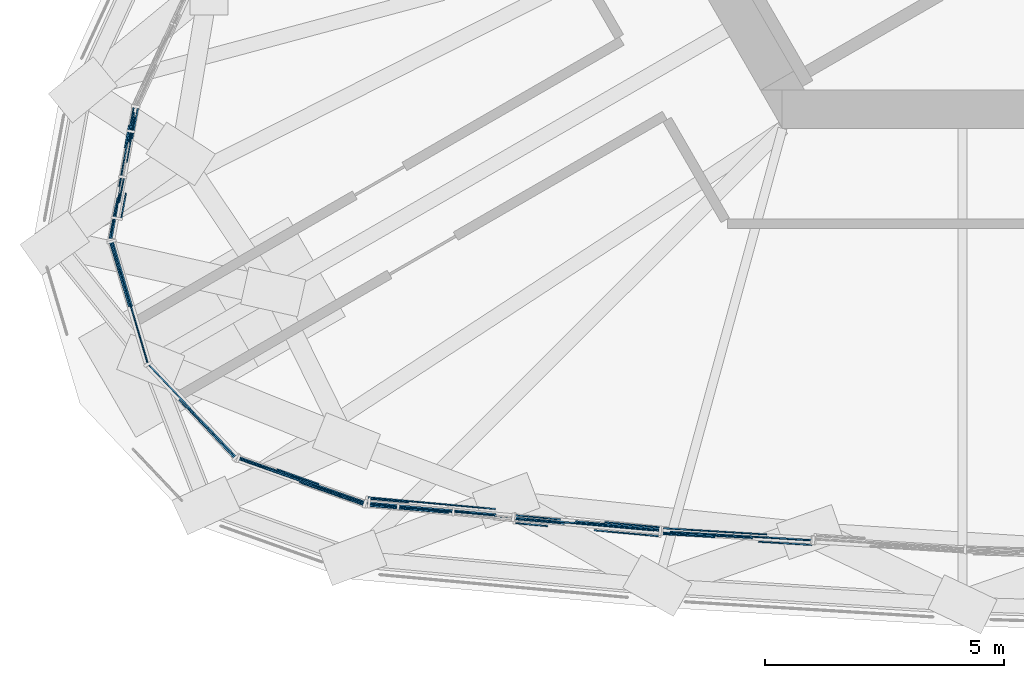
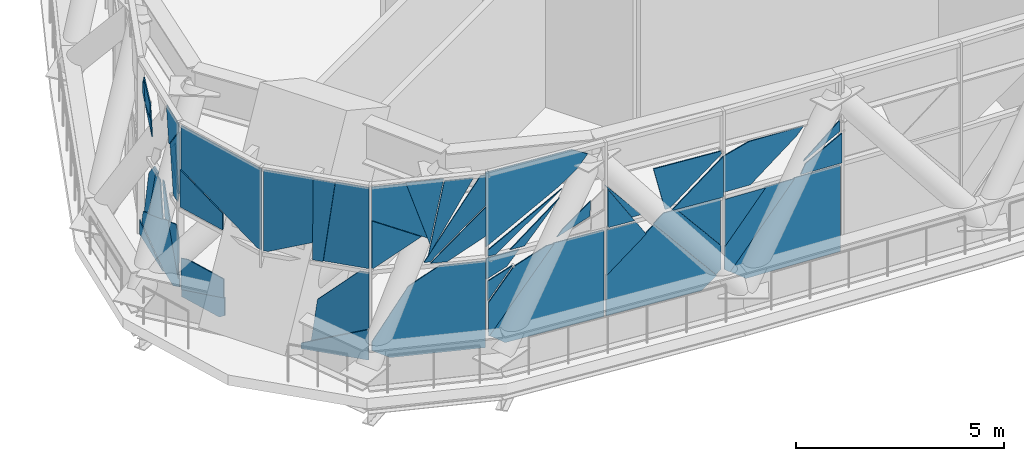
# One storey, part 10 of 35: 49 plates, 2 elements without a shape of their own.
"""IFC4 building model written with IfcOpenShell, lengths in metres."""

from ifc_helpers import new_model, si_unit, direction, frame, origin, place, context, subcontext, project, spatial, polyline, outline, extrude, material, layer, layer_set, type_object, element, aggregate, save


model = new_model("IFC4")

# Units and contexts
model_context = context("Model", 3, precision=1e-05, world=origin(), true_north=direction((0.0, 1.0)))
body_context = subcontext(model_context, "Body", "Model", "MODEL_VIEW")
ifc_project = project(units=[si_unit("LENGTHUNIT", "METRE"), si_unit("AREAUNIT", "SQUARE_METRE"), si_unit("VOLUMEUNIT", "CUBIC_METRE"), si_unit("PLANEANGLEUNIT", "RADIAN"), si_unit("MASSUNIT", "GRAM", prefix="KILO")], contexts=[model_context])

# Site, building, storey
site_placement = place(None, origin())
site = spatial("IfcSite", under=ifc_project, at=site_placement, CompositionType="ELEMENT")
building_placement = place(site_placement, origin())
building = spatial("IfcBuilding", under=site, at=building_placement, Name="Mestral Congress Tower", CompositionType="ELEMENT")
storey_placement = place(building_placement, frame((0.0, 0.0, 196.199951171875)))
storey = spatial("IfcBuildingStorey", under=building, at=storey_placement, Name="L46", CompositionType="ELEMENT", Elevation=196.199951171875)

# Curtain wall, plates
ifc_material_1 = material(Name="Clear low-emissivity double glazing", Category="glass")
curtain_wall_type = type_object("IfcCurtainWallType", Name="Facade refuge band screen", PredefinedType="USERDEFINED", material=ifc_material_1)
placement = place(storey_placement, origin())
curtain_wall_1 = element("IfcCurtainWall", 1, at=placement, inside=storey, type_object=curtain_wall_type, Name="Facade refuge band screen face 1", ObjectType="CURTAIN WALL", PredefinedType="USERDEFINED")
ifc_material_2 = material(Name="Anodised aluminium", Category="aluminium")
ifc_layer_1 = layer(ifc_material_2, 0.028076171875)
ifc_layer_set_1 = layer_set([ifc_layer_1], Name="Anodised aluminium")
plate_type_1 = type_object("IfcPlateType", Name="Facade refuge band screen brace cover panel", PredefinedType="CURTAIN_PANEL", material=ifc_layer_set_1)
plate_1_placement = place(storey_placement, frame((-22.06689453125, -18.357666015625, 0.339111328125), z_axis=(-0.091405422921, -0.995811968645, 0.001889911145), x_axis=(-0.784602575643, 0.07318699038, 0.615664245132)))
plate_1 = element("IfcPlate", 2, at=plate_1_placement, type_object=plate_type_1, Name="Facade refuge band screen brace cover panel", PredefinedType="CURTAIN_PANEL", context=body_context, shape_type="SweptSolid", body=[
    extrude(outline(polyline([(0.0, 0.0), (0.020223917446481353, 1.734723475976807e-18), (0.621710539117942, -0.7699648906408846), (0.6220493747293552, -1.8553113854317473), (0.16102226624390048, -2.667227628167387), (0.0010581197837116196, -2.7922065826315023), (0.0, 0.0)])), origin(), (0.0, 0.0, -1.0), 0.028076171875),
])
plate_2_placement = place(storey_placement, frame((-16.05908203125, -18.84130859375, 0.334716796875), z_axis=(-0.091391712053, -0.995812969802, 0.002020925812), x_axis=(-0.640069183234, 0.060297408752, 0.765947559022)))
plate_2 = element("IfcPlate", 3, at=plate_2_placement, type_object=plate_type_1, Name="Facade refuge band screen brace cover panel", PredefinedType="CURTAIN_PANEL", context=body_context, shape_type="SweptSolid", body=[
    extrude(outline(polyline([(0.0, 0.0), (2.5716212137501024, 0.0), (2.5774593481638557, -0.35950211440347934), (2.358676610212579, -0.6201582566437716), (0.5295816327207876, -0.6203329669512662), (-8.76230419641355e-05, -0.17592861950133076), (0.0, 0.0)])), origin(), (0.0, 0.0, -1.0), 0.028076171875),
])
plate_3_placement = place(storey_placement, frame((-17.310546875, -18.874267578125, 2.66015625), z_axis=(-0.091414054345, -0.995810851688, 0.002053857055), x_axis=(0.752587048919, -0.067735511696, 0.654999720805)))
plate_3 = element("IfcPlate", 4, at=plate_3_placement, type_object=plate_type_1, Name="Facade refuge band screen brace cover panel", PredefinedType="CURTAIN_PANEL", context=body_context, shape_type="SweptSolid", body=[
    extrude(outline(polyline([(0.0, 0.0), (1.8237871562108943, 1.1102230246251565e-16), (1.0413191713894916, -0.9026469054130672), (0.0, 0.0)])), origin(), (0.0, 0.0, -1.0), 0.028076171875),
])
plate_4_placement = place(storey_placement, frame((-15.927734375, -18.884033203125, 3.93798828125), z_axis=(-0.091474321656, -0.99580534519, 0.002040335234), x_axis=(8.0489317e-05, -0.002056319168, -0.999997882534)))
plate_4 = element("IfcPlate", 5, at=plate_4_placement, type_object=plate_type_1, Name="Facade refuge band screen brace cover panel", PredefinedType="CURTAIN_PANEL", context=body_context, shape_type="SweptSolid", body=[
    extrude(outline(polyline([(0.0, 0.0), (0.08325227887288608, 3.3881317890172014e-21), (1.2774653431527454, -1.3781816307289985), (1.2774332604616672, -1.4966121283155542), (-0.00048274270776650066, -1.801233070272785), (0.0, 0.0)])), origin(), (0.0, 0.0, -1.0), 0.028076171875),
])
plate_5_placement = place(storey_placement, frame((-18.984619140625, -18.722412109375, 2.66015625), z_axis=(-0.091689784699, -0.99578566175, 0.001974647926), x_axis=(0.000218102083, 0.001962918745, 0.999998049689)))
plate_5 = element("IfcPlate", 6, at=plate_5_placement, type_object=plate_type_1, Name="Facade refuge band screen brace cover panel", PredefinedType="CURTAIN_PANEL", context=body_context, shape_type="SweptSolid", body=[
    extrude(outline(polyline([(0.0, 0.0), (1.1193869487778603, -3.3881317890172014e-20), (2.625105635397127e-05, -0.7056090234868035), (0.0, 0.0)])), origin(), (0.0, 0.0, -1.0), 0.028076171875),
])
plate_6_placement = place(storey_placement, frame((-18.26708984375, -18.625732421875, 2.66015625), z_axis=(-0.091327179961, -0.995818590508, 0.002163561775), x_axis=(-0.530832742943, 0.050521013547, 0.84596940028)))
plate_6 = element("IfcPlate", 7, at=plate_6_placement, type_object=plate_type_1, Name="Facade refuge band screen brace cover panel", PredefinedType="CURTAIN_PANEL", context=body_context, shape_type="SweptSolid", body=[
    extrude(outline(polyline([(0.0, 0.0), (1.3231978172465464, 0.0), (1.3409598700844538, -0.011195685248758469), (-0.1342563970399853, -0.2129991357044137), (0.0, 0.0)])), origin(), (0.0, 0.0, -1.0), 0.028076171875),
])
plate_7_placement = place(storey_placement, frame((-13.99072265625, -19.036376953125, 2.5400390625), z_axis=(-0.061047188932, -0.998132830406, 0.002023262272), x_axis=(-0.619375456664, 0.036292139233, -0.784255649844)))
plate_7 = element("IfcPlate", 8, at=plate_7_placement, type_object=plate_type_1, Name="Facade refuge band screen brace cover panel", PredefinedType="CURTAIN_PANEL", context=body_context, shape_type="SweptSolid", body=[
    extrude(outline(polyline([(0.0, 0.0), (2.797051461000134, -2.220446049250313e-16), (2.7971291127140425, -0.18740410296666088), (2.2503791627469925, -0.6197291662097489), (0.49032908790269136, -0.6197971613504949), (0.0, 0.0)])), origin(), (0.0, 0.0, -1.0), 0.028076171875),
])
plate_8_placement = place(storey_placement, frame((-13.872802734375, -19.11328125, 2.66015625), z_axis=(-0.061067988602, -0.998131336105, 0.002129942322), x_axis=(0.432113595508, -0.024514003498, 0.901485942325)))
plate_8 = element("IfcPlate", 9, at=plate_8_placement, type_object=plate_type_1, Name="Facade refuge band screen brace cover panel", PredefinedType="CURTAIN_PANEL", context=body_context, shape_type="SweptSolid", body=[
    extrude(outline(polyline([(0.0, 0.0), (0.31415119636509264, 1.3877787807814457e-17), (1.267925134991916, -0.631103640810244), (0.48368919405643385, -1.0074770836444369), (0.0, 0.0)])), origin(), (0.0, 0.0, -1.0), 0.028076171875),
])
plate_9_placement = place(storey_placement, frame((-13.73095703125, -19.021240234375, 2.943359375), z_axis=(-0.061234249092, -0.998120996586, 0.002200661861), x_axis=(0.428867239058, -0.024319774355, 0.903040109761)))
plate_9 = element("IfcPlate", 10, at=plate_9_placement, type_object=plate_type_1, Name="Facade refuge band screen brace cover panel", PredefinedType="CURTAIN_PANEL", context=body_context, shape_type="SweptSolid", body=[
    extrude(outline(polyline([(0.0, 0.0), (0.05920749402976901, 3.469446951953614e-18), (1.2473501989583082, -0.49377330717624734), (0.9513942089154256, -0.634331006551136), (0.0, 0.0)])), origin(), (0.0, 0.0, -1.0), 0.028076171875),
])
plate_10_placement = place(storey_placement, frame((-15.864013671875, -18.831298828125, 2.66015625), z_axis=(-0.06100553502, -0.998135518015, 0.001952530161), x_axis=(6.038458e-06, 0.00195580461, 0.999998087394)))
plate_10 = element("IfcPlate", 11, at=plate_10_placement, type_object=plate_type_1, Name="Facade refuge band screen brace cover panel", PredefinedType="CURTAIN_PANEL", context=body_context, shape_type="SweptSolid", body=[
    extrude(outline(polyline([(0.0, 0.0), (1.051759620832685, -1.3552527156068805e-20), (1.277754108211443, -0.707127968333262), (1.2775881902975312, -2.1744508239131553), (1.0473843761517225, -1.986603748920556), (-8.434351846266629e-05, -0.7416259011034291), (0.0, 0.0)])), origin(), (0.0, 0.0, -1.0), 0.028076171875),
])

curtain_wall_2 = element("IfcCurtainWall", 12, at=placement, inside=storey, type_object=curtain_wall_type, Name="Facade refuge band screen corner 3", ObjectType="CURTAIN WALL", PredefinedType="USERDEFINED")
plate_11_placement = place(storey_placement, frame((-27.462158203125, -12.74951171875, 0.51220703125), z_axis=(-0.983541222688, 0.180671868471, 0.002083078427), x_axis=(0.093068839311, 0.496698870472, 0.862918549587)))
plate_11 = element("IfcPlate", 13, at=plate_11_placement, type_object=plate_type_1, Name="Facade refuge band screen brace cover panel", PredefinedType="CURTAIN_PANEL", context=body_context, shape_type="SweptSolid", body=[
    extrude(outline(polyline([(0.0, 0.0), (1.4013239296903355, 0.0), (1.3632036838480073, -0.6158543975062255), (1.0516666724094272, -0.6159179889359591), (0.0, 0.0)])), origin(), (0.0, 0.0, -1.0), 0.028076171875),
])
plate_12_placement = place(storey_placement, frame((-27.427490234375, -12.755859375, 3.138671875), z_axis=(-0.983514120435, 0.180820203778, 0.002007189537), x_axis=(0.0524524814, 0.295886058745, -0.953782038746)))
plate_12 = element("IfcPlate", 14, at=plate_12_placement, type_object=plate_type_1, Name="Facade refuge band screen brace cover panel", PredefinedType="CURTAIN_PANEL", context=body_context, shape_type="SweptSolid", body=[
    extrude(outline(polyline([(0.0, 0.0), (0.5017032196414064, -5.551115123125783e-17), (0.5884562268046104, -0.27535969739291555), (-0.6174992062670931, -0.913718823352413), (-1.6076817673196524, -0.506398864054568), (0.0, 0.0)])), origin(), (0.0, 0.0, -1.0), 0.028076171875),
])
plate_13_placement = place(storey_placement, frame((-27.17578125, -12.1044921875, 4.002197265625), z_axis=(-0.983610252309, 0.18029466526, 0.002169154489), x_axis=(-0.034696659415, -0.177457221132, -0.983516688467)))
plate_13 = element("IfcPlate", 15, at=plate_13_placement, type_object=plate_type_1, Name="Facade refuge band screen brace cover panel", PredefinedType="CURTAIN_PANEL", context=body_context, shape_type="SweptSolid", body=[
    extrude(outline(polyline([(0.0, 0.0), (1.3645325329917986, 0.0), (1.3493721235760283, -0.08247042688757497), (0.30835978365386685, -0.371029966611669), (0.0, 0.0)])), origin(), (0.0, 0.0, -1.0), 0.028076171875),
])
plate_14_placement = place(storey_placement, frame((-27.453125, -12.751220703125, 5.030029296875), z_axis=(-0.98354673758, 0.180642073592, 0.002063066848), x_axis=(-0.002106544609, -4.8841393e-05, -0.99999778004)))
plate_14 = element("IfcPlate", 16, at=plate_14_placement, type_object=plate_type_1, Name="Facade refuge band screen brace cover panel", PredefinedType="CURTAIN_PANEL", context=body_context, shape_type="SweptSolid", body=[
    extrude(outline(polyline([(0.0, 0.0), (0.20581111856999154, 1.3552527156068805e-20), (1.0275401469129066, -0.6863908998904023), (-0.000374768415865152, -0.8747317922043722), (0.0, 0.0)])), origin(), (0.0, 0.0, -1.0), 0.028076171875),
])
plate_15_placement = place(storey_placement, frame((-27.0556640625, -10.38623046875, 4.8525390625), z_axis=(-0.983541714463, 0.180668585504, 0.00213497632), x_axis=(-0.123379703516, -0.66294061132, -0.738435640136)))
plate_15 = element("IfcPlate", 17, at=plate_15_placement, type_object=plate_type_1, Name="Facade refuge band screen brace cover panel", PredefinedType="CURTAIN_PANEL", context=body_context, shape_type="SweptSolid", body=[
    extrude(outline(polyline([(0.0, 0.0), (0.7052093910008413, 5.551115123125783e-17), (0.9568470250010856, -0.29141365652103535), (0.5900213989988442, -0.3824745796145716), (0.0, 0.0)])), origin(), (0.0, 0.0, -1.0), 0.028076171875),
])
plate_16_placement = place(storey_placement, frame((-26.873779296875, -10.030029296875, 4.083984375), z_axis=(-0.983491150077, 0.180945291655, 0.001989760772), x_axis=(0.001909113356, -0.000619859588, 0.999997985528)))
plate_16 = element("IfcPlate", 18, at=plate_16_placement, type_object=plate_type_1, Name="Facade refuge band screen brace cover panel", PredefinedType="CURTAIN_PANEL", context=body_context, shape_type="SweptSolid", body=[
    extrude(outline(polyline([(0.0, 0.0), (0.4072272917628294, 4.0657581468206416e-20), (0.07508306070359799, -0.4986634280632387), (-0.8299083215696136, -0.6494264062652152), (0.0, 0.0)])), origin(), (0.0, 0.0, -1.0), 0.028076171875),
])
plate_17_placement = place(storey_placement, frame((-27.025390625, -14.1767578125, 1.212158203125), z_axis=(-0.95866637409, -0.284526060612, 0.001924583685), x_axis=(-0.000675991296, -0.004486456348, -0.99998970732)))
plate_17 = element("IfcPlate", 19, at=plate_17_placement, type_object=plate_type_1, Name="Facade refuge band screen brace cover panel", PredefinedType="CURTAIN_PANEL", context=body_context, shape_type="SweptSolid", body=[
    extrude(outline(polyline([(0.0, 0.0), (0.5527398041812561, 0.0), (0.9810003246697423, -1.4179829547326819), (0.0627935390054596, -1.414192148194882), (-0.004882381193340873, -1.1882053946362086), (0.0, 0.0)])), origin(), (0.0, 0.0, -1.0), 0.028076171875),
])
plate_18_placement = place(storey_placement, frame((-27.046142578125, -14.009765625, 0.0), z_axis=(-0.958687457399, -0.284452735686, 0.002236109869), x_axis=(-0.284453446953, 0.958689854185, -4.9506e-08)))
plate_18 = element("IfcPlate", 20, at=plate_18_placement, type_object=plate_type_1, Name="Facade refuge band screen brace cover panel", PredefinedType="CURTAIN_PANEL", context=body_context, shape_type="SweptSolid", body=[
    extrude(outline(polyline([(0.0, 0.0), (1.2478456048277264, 2.168404344971009e-19), (1.2479407555274789, -0.22534243553974584), (-0.16850464691460704, -0.6594254008947112), (-0.17070627859873513, -0.12548858915202765), (0.0, 0.0)])), origin(), (0.0, 0.0, -1.0), 0.028076171875),
])
plate_19_placement = place(storey_placement, frame((-26.704345703125, -15.248046875, 2.66015625), z_axis=(-0.958659811507, -0.28454759902, 0.002007409516), x_axis=(-0.260376231924, 0.880026911403, 0.397186169265)))
plate_19 = element("IfcPlate", 21, at=plate_19_placement, type_object=plate_type_1, Name="Facade refuge band screen brace cover panel", PredefinedType="CURTAIN_PANEL", context=body_context, shape_type="SweptSolid", body=[
    extrude(outline(polyline([(0.0, 0.0), (2.759278228808107, -2.220446049250313e-16), (3.2652727965914066, -1.169129116198409), (0.8331775279212031, -2.221713837180882), (-0.1081845712288062, -0.04682089537727058), (0.0, 0.0)])), origin(), (0.0, 0.0, -1.0), 0.028076171875),
])
plate_20_placement = place(storey_placement, frame((-27.0546875, -14.177001953125, 3.1474609375), z_axis=(-0.958660352868, -0.284546796626, 0.001856978371), x_axis=(-0.00059078499, -0.00453562231, -0.999989539497)))
plate_20 = element("IfcPlate", 22, at=plate_20_placement, type_object=plate_type_1, Name="Facade refuge band screen brace cover panel", PredefinedType="CURTAIN_PANEL", context=body_context, shape_type="SweptSolid", body=[
    extrude(outline(polyline([(0.0, 0.0), (0.48730970024944503, 4.336808689942018e-19), (0.4814250708645167, -1.4078064673701252), (-0.6145152064667181, -1.4033717621962754), (0.0, 0.0)])), origin(), (0.0, 0.0, -1.0), 0.028076171875),
])
plate_21_placement = place(storey_placement, frame((-26.005615234375, -16.1357421875, 0.165283203125), z_axis=(-0.72569175987, -0.688017658856, 0.001780662248), x_axis=(0.631920730175, -0.665495029729, 0.397231111799)))
plate_21 = element("IfcPlate", 23, at=plate_21_placement, type_object=plate_type_1, Name="Facade refuge band screen brace cover panel", PredefinedType="CURTAIN_PANEL", context=body_context, shape_type="SweptSolid", body=[
    extrude(outline(polyline([(0.0, 0.0), (1.845047780625885, 0.0), (1.4882984181235235, -0.8243082963611513), (-0.06549315616650278, -0.15175383808435697), (0.0, 0.0)])), origin(), (0.0, 0.0, -1.0), 0.028076171875),
])
plate_22_placement = place(storey_placement, frame((-24.9794921875, -17.16748046875, 2.5400390625), z_axis=(-0.725790559269, -0.687912627309, 0.002069121945), x_axis=(0.687914099886, -0.725792112921, 2.548e-09)))
plate_22 = element("IfcPlate", 24, at=plate_22_placement, type_object=plate_type_1, Name="Facade refuge band screen brace cover panel", PredefinedType="CURTAIN_PANEL", context=body_context, shape_type="SweptSolid", body=[
    extrude(outline(polyline([(0.0, 0.0), (0.2384924031211516, 0.0), (0.23858487455508798, -1.641849329964694), (-1.212714494632311, -2.270024370558951), (-1.0556281348336245, -1.0395531195383267), (0.0, 0.0)])), origin(), (0.0, 0.0, -1.0), 0.028076171875),
])
plate_23_placement = place(storey_placement, frame((-24.811767578125, -17.337158203125, 5.030029296875), z_axis=(-0.725748082211, -0.687957649528, 0.001998404883), x_axis=(-0.001464280748, -0.001360115623, -0.999998002982)))
plate_23 = element("IfcPlate", 25, at=plate_23_placement, type_object=plate_type_1, Name="Facade refuge band screen brace cover panel", PredefinedType="CURTAIN_PANEL", context=body_context, shape_type="SweptSolid", body=[
    extrude(outline(polyline([(0.0, 0.0), (2.3698776358342064, 2.642742795433417e-19), (2.3699010032380636, -1.1461758539075684), (1.6949549275852493e-05, -0.8436177788871606), (0.0, 0.0)])), origin(), (0.0, 0.0, -1.0), 0.028076171875),
])
plate_24_placement = place(storey_placement, frame((-25.62548828125, -16.529296875, 2.66015625), z_axis=(-0.725699684087, -0.68800876892, 0.00197545089), x_axis=(-0.688010112149, 0.725701099338, -5.44445e-07)))
plate_24 = element("IfcPlate", 26, at=plate_24_placement, type_object=plate_type_1, Name="Facade refuge band screen brace cover panel", PredefinedType="CURTAIN_PANEL", context=body_context, shape_type="SweptSolid", body=[
    extrude(outline(polyline([(0.0, 0.0), (0.2618034467897824, -5.421010862427522e-20), (0.25191259541594113, -2.369877808145365), (-0.3024397500151649, -2.3698773637925594), (0.0, 0.0)])), origin(), (0.0, 0.0, -1.0), 0.028076171875),
])
plate_25_placement = place(storey_placement, frame((-26.635009765625, -15.413818359375, 5.030029296875), z_axis=(-0.725770213633, -0.687934105098, 0.002064956526), x_axis=(0.687935572248, -0.725771760566, 3.02894e-07)))
plate_25 = element("IfcPlate", 27, at=plate_25_placement, type_object=plate_type_1, Name="Facade refuge band screen brace cover panel", PredefinedType="CURTAIN_PANEL", context=body_context, shape_type="SweptSolid", body=[
    extrude(outline(polyline([(0.0, 0.0), (1.2522087713114065, 0.0), (1.24437151393806, -1.8825726218042504), (0.11790563784814913, -2.369877917717591), (-4.858528299347725e-05, -2.369877625301515), (0.0, 0.0)])), origin(), (0.0, 0.0, -1.0), 0.028076171875),
])
plate_26_placement = place(storey_placement, frame((-22.152099609375, -18.339111328125, 3.291259765625), z_axis=(-0.335487935216, -0.942042087701, 0.002133148889), x_axis=(-0.784311958707, 0.278060017529, -0.554560526978)))
plate_26 = element("IfcPlate", 28, at=plate_26_placement, type_object=plate_type_1, Name="Facade refuge band screen brace cover panel", PredefinedType="CURTAIN_PANEL", context=body_context, shape_type="SweptSolid", body=[
    extrude(outline(polyline([(0.0, 0.0), (1.1380247231410674, 1.1102230246251565e-16), (1.4740309100046607, -0.2239234932636356), (-0.4701198520479194, -0.7056384024109896), (0.0, 0.0)])), origin(), (0.0, 0.0, -1.0), 0.028076171875),
])
plate_27_placement = place(storey_placement, frame((-22.12939453125, -18.275390625, 5.030029296875), z_axis=(-0.335181029299, -0.942151827851, 0.001900230147), x_axis=(-0.000517645588, -0.001832742525, -0.999998186547)))
plate_27 = element("IfcPlate", 29, at=plate_27_placement, type_object=plate_type_1, Name="Facade refuge band screen brace cover panel", PredefinedType="CURTAIN_PANEL", context=body_context, shape_type="SweptSolid", body=[
    extrude(outline(polyline([(0.0, 0.0), (0.8908709099609222, 1.4907779871675686e-19), (2.3697063576946986, -1.3510880844354896), (2.3696870936756347, -1.5024395091897629), (-1.4195257663228754e-05, -0.1139736045041505), (0.0, 0.0)])), origin(), (0.0, 0.0, -1.0), 0.028076171875),
])
plate_28_placement = place(storey_placement, frame((-22.4326171875, -18.2314453125, 5.030029296875), z_axis=(-0.335530589153, -0.942027027684, 0.002074332579), x_axis=(-0.430099659173, 0.151232801007, -0.890024113763)))
plate_28 = element("IfcPlate", 30, at=plate_28_placement, type_object=plate_type_1, Name="Facade refuge band screen brace cover panel", PredefinedType="CURTAIN_PANEL", context=body_context, shape_type="SweptSolid", body=[
    extrude(outline(polyline([(0.0, 0.0), (2.4311907126055052, 1.1102230246251565e-16), (0.32410102824565956, -0.6327093751324917), (0.0, 0.0)])), origin(), (0.0, 0.0, -1.0), 0.028076171875),
])
plate_29_placement = place(storey_placement, frame((-23.395751953125, -17.796875, 3.16748046875), z_axis=(-0.335403115709, -0.942072701176, 0.00194310874), x_axis=(-0.282425483654, 0.102518325187, 0.953795491279)))
plate_29 = element("IfcPlate", 31, at=plate_29_placement, type_object=plate_type_1, Name="Facade refuge band screen brace cover panel", PredefinedType="CURTAIN_PANEL", context=body_context, shape_type="SweptSolid", body=[
    extrude(outline(polyline([(0.0, 0.0), (1.9527758782210078, 0.0), (1.673716718954633, -0.8858881632245461), (0.0, 0.0)])), origin(), (0.0, 0.0, -1.0), 0.028076171875),
])
plate_30_placement = place(storey_placement, frame((-24.749267578125, -17.343017578125, 5.030029296875), z_axis=(-0.335376447218, -0.942082332561, 0.00187545431), x_axis=(0.942083989322, -0.335377037172, -7.8373e-08)))
plate_30 = element("IfcPlate", 32, at=plate_30_placement, type_object=plate_type_1, Name="Facade refuge band screen brace cover panel", PredefinedType="CURTAIN_PANEL", context=body_context, shape_type="SweptSolid", body=[
    extrude(outline(polyline([(0.0, 0.0), (0.8406935886952458, 0.0), (1.363457465770704, -1.6599149217523828), (-0.00011677272849420337, -0.9707048980426844), (0.0, 0.0)])), origin(), (0.0, 0.0, -1.0), 0.028076171875),
])
plate_31_placement = place(storey_placement, frame((-24.760986328125, -17.375732421875, 2.66015625), z_axis=(-0.335359651488, -0.942087699431, 0.002161188358), x_axis=(0.000737828349, 0.002031387793, 0.999997664534)))
plate_31 = element("IfcPlate", 33, at=plate_31_placement, type_object=plate_type_1, Name="Facade refuge band screen brace cover panel", PredefinedType="CURTAIN_PANEL", context=body_context, shape_type="SweptSolid", body=[
    extrude(outline(polyline([(0.0, 0.0), (1.3991728300835111, -9.147955830346444e-20), (0.7861514560672678, -1.2132331059853108), (1.080222579749936e-07, -0.03374844418451534), (0.0, 0.0)])), origin(), (0.0, 0.0, -1.0), 0.028076171875),
])

# Plate
ifc_layer_2 = layer(ifc_material_1, 0.028076171875)
ifc_layer_set_2 = layer_set([ifc_layer_2], Name="Clear low-emissivity double glazing")
plate_type_2 = type_object("IfcPlateType", Name="Facade refuge band screen panel", PredefinedType="CURTAIN_PANEL", material=ifc_layer_set_2)
plate_32_placement = place(storey_placement, frame((-19.0341796875, -18.606689453125, 0.0), z_axis=(-0.091416124828, -0.995810937217, 0.001915578328), x_axis=(-0.995812764249, 0.091416292633, 4.2977e-08)))
plate_32 = element("IfcPlate", 34, at=plate_32_placement, type_object=plate_type_2, Name="Refuge screen glass unit", PredefinedType="CURTAIN_PANEL", context=body_context, shape_type="SweptSolid", body=[
    extrude(outline(polyline([(0.0, 0.0), (2.6085843577909693, 0.0), (3.0428295124453393, -0.33911181477183855), (1.3245986313083173, -2.5400437454799385), (-3.975892198499053e-05, -2.5400438019868243), (0.0, 0.0)])), origin(), (0.0, 0.0, -1.0), 0.028076171875),
])

plate_33_placement = place(storey_placement, frame((-22.0771484375, -18.29443359375, 1.32861328125), z_axis=(-0.091371745634, -0.995815376048, 0.001714912984), x_axis=(0.000420874787, 0.001683499149, 0.999998494346)))
plate_33 = element("IfcPlate", 35, at=plate_33_placement, type_object=plate_type_2, Name="Refuge screen glass unit", PredefinedType="CURTAIN_PANEL", context=body_context, shape_type="SweptSolid", body=[
    extrude(outline(polyline([(0.0, 0.0), (0.5800789983980431, 0.0), (0.8556471763165292, -0.6677162978239491), (0.0, 0.0)])), origin(), (0.0, 0.0, -1.0), 0.028076171875),
])

plate_34_placement = place(storey_placement, frame((-22.0693359375, -18.209716796875, 1.90869140625), z_axis=(-0.091657356681, -0.995788106409, 0.002230717401), x_axis=(0.000427478366, 0.002200799792, 0.999997486868)))
plate_34 = element("IfcPlate", 36, at=plate_34_placement, type_object=plate_type_2, Name="Refuge screen glass unit", PredefinedType="CURTAIN_PANEL", context=body_context, shape_type="SweptSolid", body=[
    extrude(outline(polyline([(0.0, 0.0), (0.5859388183497982, 0.0), (0.6313615809928453, -0.05637572789579132), (0.6315461308224964, -0.8786687137284377), (0.22595305148050646, -0.5476286848987327), (0.0, 0.0)])), origin(), (0.0, 0.0, -1.0), 0.028076171875),
])

plate_35_placement = place(storey_placement, frame((-20.10107421875, -18.474853515625, 2.8603515625), z_axis=(-0.09166083683, -0.995787681928, 0.002276732634), x_axis=(0.775993319118, -0.069995882931, 0.626845232141)))
plate_35 = element("IfcPlate", 37, at=plate_35_placement, type_object=plate_type_2, Name="Refuge screen glass unit", PredefinedType="CURTAIN_PANEL", context=body_context, shape_type="SweptSolid", body=[
    extrude(outline(polyline([(0.0, 0.0), (0.9526562705430837, -5.551115123125783e-17), (0.6667968045613456, -0.3249522849043054), (-0.24324503976280232, -0.057171229559518796), (0.0, 0.0)])), origin(), (0.0, 0.0, -1.0), 0.028076171875),
])

plate_36_placement = place(storey_placement, frame((-19.3779296875, -18.428955078125, 4.787353515625), z_axis=(-0.091453900923, -0.99580731657, 0.001993055695), x_axis=(-0.612639779038, 0.054686118418, -0.788468090409)))
plate_36 = element("IfcPlate", 38, at=plate_36_placement, type_object=plate_type_2, Name="Refuge screen glass unit", PredefinedType="CURTAIN_PANEL", context=body_context, shape_type="SweptSolid", body=[
    extrude(outline(polyline([(0.0, 0.0), (0.41243964614821554, 8.326672684688674e-17), (1.0241820313196282, -0.1439511649530572), (3.194232583526234, -0.9327778236633706), (1.4693998150961278, -2.278187693390081), (0.06291611817980072, -0.4752005046548501), (0.0, 0.0)])), origin(), (0.0, 0.0, -1.0), 0.028076171875),
])

plate_37_placement = place(storey_placement, frame((-22.07958984375, -18.32177734375, 2.66015625), z_axis=(-0.091650779021, -0.995788384052, 0.002372528436), x_axis=(-2.6905976e-05, 0.002385032482, 0.999997155444)))
plate_37 = element("IfcPlate", 39, at=plate_37_placement, type_object=plate_type_2, Name="Refuge screen glass unit", PredefinedType="CURTAIN_PANEL", context=body_context, shape_type="SweptSolid", body=[
    extrude(outline(polyline([(0.0, 0.0), (0.1823736926713002, 0.0), (1.4077268539498176, -1.957250140391215), (-5.034707388495974e-05, -0.20569480229820827), (0.0, 0.0)])), origin(), (0.0, 0.0, -1.0), 0.028076171875),
])

plate_38_placement = place(storey_placement, frame((-21.48486328125, -18.34814453125, 2.66015625), z_axis=(-0.091916651297, -0.99576372238, 0.002436884564), x_axis=(0.752574693741, -0.067865482205, 0.655000463103)))
plate_38 = element("IfcPlate", 40, at=plate_38_placement, type_object=plate_type_2, Name="Refuge screen glass unit", PredefinedType="CURTAIN_PANEL", context=body_context, shape_type="SweptSolid", body=[
    extrude(outline(polyline([(0.0, 0.0), (1.7339563122132973, -1.1102230246251565e-16), (0.2890110233579445, -0.2505243577320314), (0.0, 0.0)])), origin(), (0.0, 0.0, -1.0), 0.028076171875),
])

plate_39_placement = place(storey_placement, frame((-15.921142578125, -18.81396484375, 1.13916015625), z_axis=(-0.091527326115, -0.995800704539, 0.001924945116), x_axis=(-0.640225410178, 0.060325596289, 0.765814759975)))
plate_39 = element("IfcPlate", 41, at=plate_39_placement, type_object=plate_type_2, Name="Refuge screen glass unit", PredefinedType="CURTAIN_PANEL", context=body_context, shape_type="SweptSolid", body=[
    extrude(outline(polyline([(0.0, 0.0), (1.8292660046094058, -1.1102230246251565e-16), (1.0728194455284095, -0.900848166473671), (0.0, 0.0)])), origin(), (0.0, 0.0, -1.0), 0.028076171875),
])

plate_40_placement = place(storey_placement, frame((-18.974365234375, -18.6123046875, 0.0), z_axis=(-0.091424613492, -0.995809901977, 0.002044302575), x_axis=(0.000203385082, 0.002034227514, 0.999997910274)))
plate_40 = element("IfcPlate", 42, at=plate_40_placement, type_object=plate_type_2, Name="Refuge screen glass unit", PredefinedType="CURTAIN_PANEL", context=body_context, shape_type="SweptSolid", body=[
    extrude(outline(polyline([(0.0, 0.0), (1.2028833617142596, -3.7269449679189215e-20), (2.304468989591774, -1.270486864285993), (0.3347659991232022, -2.924038747004271), (4.1622830060082574e-05, -2.525232247721725), (0.0, 0.0)])), origin(), (0.0, 0.0, -1.0), 0.028076171875),
])

plate_41_placement = place(storey_placement, frame((-18.976806640625, -18.639892578125, 1.202880859375), z_axis=(-0.091275320493, -0.995823678801, 0.002004147772), x_axis=(0.000181437796, 0.001995918551, 0.999997991693)))
plate_41 = element("IfcPlate", 43, at=plate_41_placement, type_object=plate_type_2, Name="Refuge screen glass unit", PredefinedType="CURTAIN_PANEL", context=body_context, shape_type="SweptSolid", body=[
    extrude(outline(polyline([(0.0, 0.0), (1.3371609221296044, -8.893845946170154e-21), (1.3371597188004205, -0.7808489340433719), (0.910156538688714, -1.0498701259015693), (0.0, 0.0)])), origin(), (0.0, 0.0, -1.0), 0.028076171875),
])

plate_42_placement = place(storey_placement, frame((-12.751220703125, -19.08203125, 2.5400390625), z_axis=(-0.061044309048, -0.998132945129, 0.002053334098), x_axis=(-9.8117761e-05, -0.002051169884, -0.999997891535)))
plate_42 = element("IfcPlate", 44, at=plate_42_placement, type_object=plate_type_2, Name="Refuge screen glass unit", PredefinedType="CURTAIN_PANEL", context=body_context, shape_type="SweptSolid", body=[
    extrude(outline(polyline([(0.0, 0.0), (2.5400442471236353, -1.0842021724855044e-19), (2.539975284737398, -2.537683912615263), (2.193526759470574, -2.9755552631532454), (-3.3790433292587316e-05, -1.240104607840258), (0.0, 0.0)])), origin(), (0.0, 0.0, -1.0), 0.028076171875),
])

plate_43_placement = place(storey_placement, frame((-15.871337890625, -18.951416015625, 2.5400390625), z_axis=(-0.061041754438, -0.998133303331, 0.001952689793), x_axis=(0.998135206276, -0.061041870814, 0.0)))
plate_43 = element("IfcPlate", 45, at=plate_43_placement, type_object=plate_type_2, Name="Refuge screen glass unit", PredefinedType="CURTAIN_PANEL", context=body_context, shape_type="SweptSolid", body=[
    extrude(outline(polyline([(0.0, 0.0), (1.0918798807490355, 0.0), (-7.975454768624065e-05, -1.3803737254332415), (0.0, 0.0)])), origin(), (0.0, 0.0, -1.0), 0.028076171875),
])

aggregate(curtain_wall_1, [plate_32, plate_33, plate_34, plate_1, plate_35, plate_36, plate_37, plate_38, plate_39, plate_40, plate_41, plate_2, plate_3, plate_4, plate_5, plate_6, plate_42, plate_43, plate_7, plate_8, plate_9, plate_10])

plate_44_placement = place(storey_placement, frame((-26.960693359375, -10.01416015625, 0.0), z_axis=(-0.983549379697, 0.180622295297, 0.002490811025), x_axis=(0.002421299965, -0.000605324991, 0.999996885439)))
plate_44 = element("IfcPlate", 46, at=plate_44_placement, type_object=plate_type_2, Name="Refuge screen glass unit", PredefinedType="CURTAIN_PANEL", context=body_context, shape_type="SweptSolid", body=[
    extrude(outline(polyline([(0.0, 0.0), (0.4033215686695405, 0.0), (0.00026571639017391807, -1.6814645781916677), (0.0, 0.0)])), origin(), (0.0, 0.0, -1.0), 0.028076171875),
])

plate_45_placement = place(storey_placement, frame((-27.352294921875, -12.3125, 0.0), z_axis=(-0.983534500486, 0.180709402744, 0.00199952847), x_axis=(0.180709763969, 0.983536466638, -1.2862e-08)))
plate_45 = element("IfcPlate", 47, at=plate_45_placement, type_object=plate_type_2, Name="Refuge screen glass unit", PredefinedType="CURTAIN_PANEL", context=body_context, shape_type="SweptSolid", body=[
    extrude(outline(polyline([(0.0, 0.0), (0.6498583657535928, 0.0), (2.239370276767059, -0.38134813715249033), (2.146697231481671, -0.766847196733234), (0.25853022455156427, -1.7214388786076913), (-0.44961465255786487, -0.5122078871231031), (-0.44970288654760604, -0.2634281273130909), (0.0, 0.0)])), origin(), (0.0, 0.0, -1.0), 0.028076171875),
])

plate_46_placement = place(storey_placement, frame((-26.933349609375, -10.206787109375, 0.766845703125), z_axis=(-0.98349541688, 0.180921448236, 0.002048058679), x_axis=(-0.040229858235, -0.229698994334, 0.972429910332)))
plate_46 = element("IfcPlate", 48, at=plate_46_placement, type_object=plate_type_2, Name="Refuge screen glass unit", PredefinedType="CURTAIN_PANEL", context=body_context, shape_type="SweptSolid", body=[
    extrude(outline(polyline([(0.0, 0.0), (1.365779696784242, -1.1102230246251565e-16), (1.885199043095978, -0.25743681329952417), (1.9508353883321343, -0.531151143955399), (0.3559250581740394, -0.41949830498843166), (0.0, 0.0)])), origin(), (0.0, 0.0, -1.0), 0.028076171875),
])

plate_47_placement = place(storey_placement, frame((-27.16455078125, -11.152099609375, 2.5400390625), z_axis=(-0.983594217802, 0.180384122124, 0.001995793413), x_axis=(-0.180384481152, -0.983596176771, 1.1487e-07)))
plate_47 = element("IfcPlate", 49, at=plate_47_placement, type_object=plate_type_2, Name="Refuge screen glass unit", PredefinedType="CURTAIN_PANEL", context=body_context, shape_type="SweptSolid", body=[
    extrude(outline(polyline([(0.0, 0.0), (0.3127441401069827, 0.0), (0.5017650174806944, -1.0283224181424724), (-0.4807289016786068, -1.5249052896012483), (0.0, 0.0)])), origin(), (0.0, 0.0, -1.0), 0.028076171875),
])

plate_48_placement = place(storey_placement, frame((-27.1982421875, -11.656005859375, 1.51171875), z_axis=(-0.983579449898, 0.180463913283, 0.002059548548), x_axis=(0.034577803742, 0.177233911662, 0.983561139963)))
plate_48 = element("IfcPlate", 50, at=plate_48_placement, type_object=plate_type_2, Name="Refuge screen glass unit", PredefinedType="CURTAIN_PANEL", context=body_context, shape_type="SweptSolid", body=[
    extrude(outline(polyline([(0.0, 0.0), (1.0455072205638518, -2.7755575615628914e-17), (1.0261909455585083, -0.10521925760583763), (0.1119185061918592, -0.3800997271543309), (0.0, 0.0)])), origin(), (0.0, 0.0, -1.0), 0.028076171875),
])

plate_49_placement = place(storey_placement, frame((-24.339111328125, -17.531494140625, 0.0), z_axis=(-0.335290944788, -0.942112459792, 0.002023721059), x_axis=(-0.812476077039, 0.290240390718, 0.505611649229)))
plate_49 = element("IfcPlate", 51, at=plate_49_placement, type_object=plate_type_2, Name="Refuge screen glass unit", PredefinedType="CURTAIN_PANEL", context=body_context, shape_type="SweptSolid", body=[
    extrude(outline(polyline([(0.0, 0.0), (0.5210076389055687, 0.0), (0.6469350684332653, -0.2145545561794477), (0.6473819467218795, -1.9741249126791187), (0.24532889101657362, -2.800316701962487), (-0.7270223257491983, -3.370153825430778), (-2.011324345732137, -1.1787174193489147), (0.0, 0.0)])), origin(), (0.0, 0.0, -1.0), 0.028076171875),
])

aggregate(curtain_wall_2, [plate_44, plate_45, plate_46, plate_47, plate_48, plate_11, plate_12, plate_13, plate_14, plate_15, plate_16, plate_17, plate_18, plate_19, plate_20, plate_21, plate_22, plate_23, plate_24, plate_25, plate_49, plate_26, plate_27, plate_28, plate_29, plate_30, plate_31])

save(model, "model.ifc")
